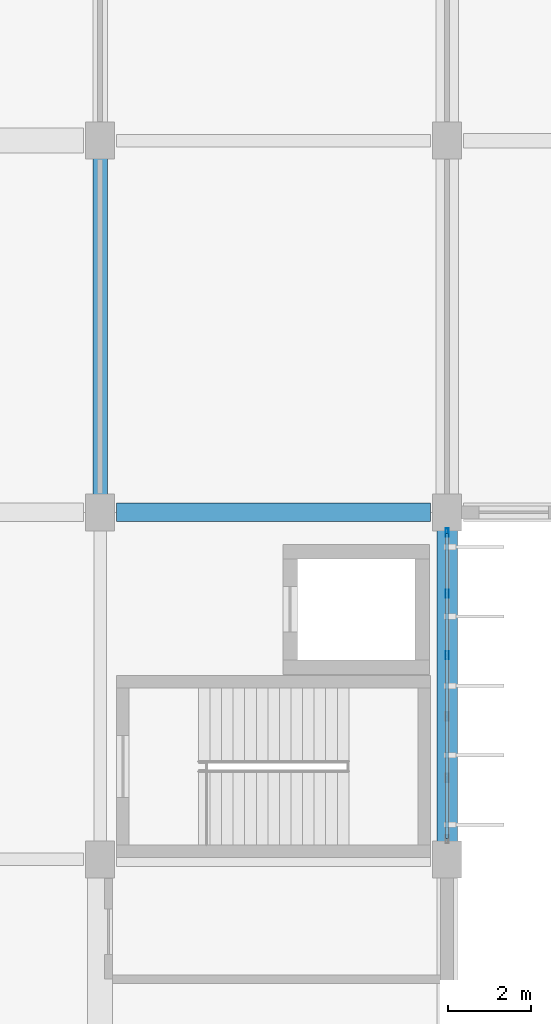
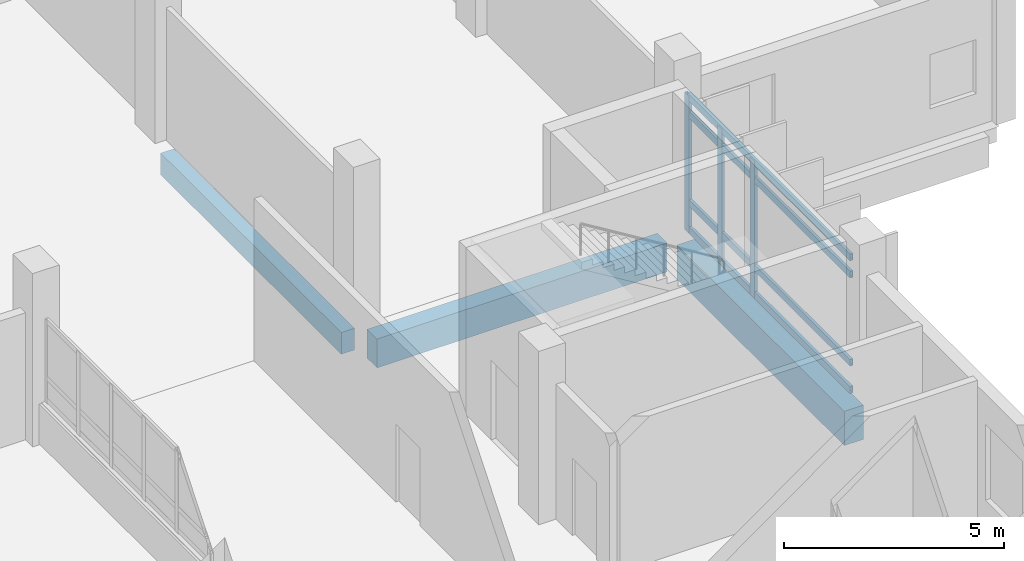
# One storey, part 54 of 95: 7 members, 3 beams, 1 element without a shape of its own.
"""IFC4 building model written with IfcOpenShell, lengths in metres."""

from ifc_helpers import new_model, si_unit, direction, frame, origin, origin_2d, place, context, subcontext, project, spatial, rectangle, hollow_rectangle, extrude, material, layer, layer_set, material_profile, profile_set, type_object, element, aggregate, save


model = new_model("IFC4")

# Units and contexts
model_context = context("Model", 3, precision=1e-05, world=origin(), true_north=direction((0.0, 1.0)))
body_context = subcontext(model_context, "Body", "Model", "MODEL_VIEW")
ifc_project = project(units=[si_unit("LENGTHUNIT", "METRE"), si_unit("AREAUNIT", "SQUARE_METRE"), si_unit("VOLUMEUNIT", "CUBIC_METRE"), si_unit("PLANEANGLEUNIT", "RADIAN"), si_unit("MASSUNIT", "GRAM", prefix="KILO")], contexts=[model_context])

# Site, building, storey
site_placement = place(None, origin())
site = spatial("IfcSite", under=ifc_project, at=site_placement, CompositionType="ELEMENT")
building_placement = place(site_placement, origin())
building = spatial("IfcBuilding", under=site, at=building_placement, Name="Vireocrest Preparatory School", CompositionType="ELEMENT")
storey_placement = place(building_placement, origin())
storey = spatial("IfcBuildingStorey", under=building, at=storey_placement, Name="L00", CompositionType="ELEMENT", Elevation=0.0)

# Curtain wall, members
ifc_material_1 = material(Name="Thermally broken aluminium EN AW-6063-T6", Category="aluminium")
ifc_layer = layer(ifc_material_1, 0.179931640625)
ifc_layer_set = layer_set([ifc_layer], Name="Thermally broken aluminium EN AW-6063-T6")
curtain_wall_type = type_object("IfcCurtainWallType", Name="Ground Storefront Curtain Wall 8400x4800", PredefinedType="USERDEFINED", material=ifc_layer_set)
curtain_wall_placement = place(storey_placement, origin())
curtain_wall = element("IfcCurtainWall", 1, at=curtain_wall_placement, inside=storey, type_object=curtain_wall_type, Name="Curtain Wall CW04 CW_L00_CW04_1092_0778_000", ObjectType="CURTAIN WALL", PredefinedType="USERDEFINED")
ifc_material_profile_1 = material_profile(ifc_material_1, hollow_rectangle(XDim=0.074951171875, YDim=0.199951171875, WallThickness=0.0048828125, at=origin_2d()), Name="ALU 75x200x5")
ifc_profile_set_1 = profile_set([ifc_material_profile_1], Name="Thermally broken aluminium EN AW-6063-T6")
member_type_1 = type_object("IfcMemberType", Name="CW Mullion 75x200x5", PredefinedType="MULLION", material=ifc_profile_set_1)
member_1_placement = place(storey_placement, frame((109.199951171875, 82.343017578125, 0.0), z_axis=(0.0, 0.0, 1.0), x_axis=(1.0, 0.0, 0.0)))
member_1 = element("IfcMember", 2, at=member_1_placement, type_object=member_type_1, Name="CW Mullion ML3 CW_L00_CW04_1092_0778_000-4", PredefinedType="MULLION", context=body_context, shape_type="SweptSolid", body=[
    extrude(hollow_rectangle(XDim=0.074951171875, YDim=0.199951171875, WallThickness=0.0048828125, at=origin_2d()), origin(), (0.0, 0.0, 1.0), 3.804931640625),
])
member_2_placement = place(storey_placement, frame((109.199951171875, 83.8291015625, 0.0), z_axis=(0.0, 0.0, 1.0), x_axis=(1.0, 0.0, 0.0)))
member_2 = element("IfcMember", 3, at=member_2_placement, type_object=member_type_1, Name="CW Mullion ML3 CW_L00_CW04_1092_0778_000-5", PredefinedType="MULLION", context=body_context, shape_type="SweptSolid", body=[
    extrude(hollow_rectangle(XDim=0.074951171875, YDim=0.199951171875, WallThickness=0.0048828125, at=origin_2d()), origin(), (0.0, 0.0, 1.0), 3.804931640625),
])
member_3_placement = place(storey_placement, frame((109.199951171875, 85.31494140625, 0.0), z_axis=(0.0, 0.0, 1.0), x_axis=(1.0, 0.0, 0.0)))
member_3 = element("IfcMember", 4, at=member_3_placement, type_object=member_type_1, Name="CW Mullion ML3 CW_L00_CW04_1092_0778_000-6", PredefinedType="MULLION", context=body_context, shape_type="SweptSolid", body=[
    extrude(hollow_rectangle(XDim=0.074951171875, YDim=0.199951171875, WallThickness=0.0048828125, at=origin_2d()), origin(), (0.0, 0.0, 1.0), 3.804931640625),
])
ifc_material_profile_2 = material_profile(ifc_material_1, hollow_rectangle(XDim=0.074951171875, YDim=0.18994140625, WallThickness=0.00390625, at=origin_2d()), Name="ALU 75x190x4")
ifc_profile_set_2 = profile_set([ifc_material_profile_2], Name="Thermally broken aluminium EN AW-6063-T6")
member_type_2 = type_object("IfcMemberType", Name="CW Transom 75x190x4", PredefinedType="USERDEFINED", material=ifc_profile_set_2)
member_4_placement = place(storey_placement, frame((109.199951171875, 77.909912109375, 0.094970703125), z_axis=(0.0, 1.0, 0.0), x_axis=(-1.0, 0.0, 0.0)))
member_4 = element("IfcMember", 5, at=member_4_placement, type_object=member_type_2, Name="CW Transom TR3 CW_L00_CW04_1092_0778_000-1", ObjectType="TRANSOM", PredefinedType="USERDEFINED", context=body_context, shape_type="SweptSolid", body=[
    extrude(hollow_rectangle(XDim=0.074951171875, YDim=0.18994140625, WallThickness=0.00390625, at=origin_2d()), origin(), (0.0, 0.0, 1.0), 7.380126953125),
])
member_5_placement = place(storey_placement, frame((109.199951171875, 77.909912109375, 0.85009765625), z_axis=(0.0, 1.0, 0.0), x_axis=(-1.0, 0.0, 0.0)))
member_5 = element("IfcMember", 6, at=member_5_placement, type_object=member_type_2, Name="CW Transom TR3 CW_L00_CW04_1092_0778_000-2", ObjectType="TRANSOM", PredefinedType="USERDEFINED", context=body_context, shape_type="SweptSolid", body=[
    extrude(hollow_rectangle(XDim=0.074951171875, YDim=0.18994140625, WallThickness=0.00390625, at=origin_2d()), origin(), (0.0, 0.0, 1.0), 7.380126953125),
])
member_6_placement = place(storey_placement, frame((109.199951171875, 77.909912109375, 3.2900390625), z_axis=(0.0, 1.0, 0.0), x_axis=(-1.0, 0.0, 0.0)))
member_6 = element("IfcMember", 7, at=member_6_placement, type_object=member_type_2, Name="CW Transom TR3 CW_L00_CW04_1092_0778_000-3", ObjectType="TRANSOM", PredefinedType="USERDEFINED", context=body_context, shape_type="SweptSolid", body=[
    extrude(hollow_rectangle(XDim=0.074951171875, YDim=0.18994140625, WallThickness=0.00390625, at=origin_2d()), origin(), (0.0, 0.0, 1.0), 7.380126953125),
])
member_7_placement = place(storey_placement, frame((109.199951171875, 77.909912109375, 3.764892578125), z_axis=(0.0, 1.0, 0.0), x_axis=(-1.0, 0.0, 0.0)))
member_7 = element("IfcMember", 8, at=member_7_placement, type_object=member_type_2, Name="CW Transom TR3 CW_L00_CW04_1092_0778_000-4", ObjectType="TRANSOM", PredefinedType="USERDEFINED", context=body_context, shape_type="SweptSolid", body=[
    extrude(hollow_rectangle(XDim=0.074951171875, YDim=0.18994140625, WallThickness=0.00390625, at=origin_2d()), origin(), (0.0, 0.0, 1.0), 7.380126953125),
])
aggregate(curtain_wall, [member_1, member_2, member_3, member_4, member_5, member_6, member_7])

# Beams
ifc_material_2 = material(Name="Concrete 40 MPa", Category="concrete")
ifc_material_profile_3 = material_profile(ifc_material_2, rectangle(XDim=0.5, YDim=0.949951171875, at=origin_2d()), Name="RC 500x950")
ifc_profile_set_3 = profile_set([ifc_material_profile_3], Name="Concrete 40 MPa")
beam_type_1 = type_object("IfcBeamType", Name="RC Basement Ceiling Girder 500x950", PredefinedType="BEAM", material=ifc_profile_set_3)
beam_1_placement = place(storey_placement, frame((109.199951171875, 77.800048828125, -0.824951171875), z_axis=(0.0, 1.0, 0.0), x_axis=(-1.0, 0.0, 0.0)))
element("IfcBeam", 9, at=beam_1_placement, inside=storey, type_object=beam_type_1, Name="Primary Girder B16 L00-0225", PredefinedType="BEAM", context=body_context, shape_type="SweptSolid", body=[
    extrude(rectangle(XDim=0.5, YDim=0.949951171875, at=origin_2d()), origin(), (0.0, 0.0, 1.0), 7.599853515625),
])
ifc_material_profile_4 = material_profile(ifc_material_2, rectangle(XDim=0.35009765625, YDim=0.60009765625, at=origin_2d()), Name="RC 350x600")
ifc_profile_set_4 = profile_set([ifc_material_profile_4], Name="Concrete 40 MPa")
beam_type_2 = type_object("IfcBeamType", Name="RC Classroom Girder 350x600", PredefinedType="BEAM", material=ifc_profile_set_4)
beam_2_placement = place(storey_placement, frame((100.800048828125, 86.199951171875, -0.64990234375), z_axis=(0.0, 1.0, 0.0), x_axis=(-1.0, 0.0, 0.0)))
element("IfcBeam", 10, at=beam_2_placement, inside=storey, type_object=beam_type_2, Name="Primary Girder B04 L00-0213", PredefinedType="BEAM", context=body_context, shape_type="SweptSolid", body=[
    extrude(rectangle(XDim=0.35009765625, YDim=0.60009765625, at=origin_2d()), origin(), (0.0, 0.0, 1.0), 8.199951171875),
])
ifc_material_profile_5 = material_profile(ifc_material_2, rectangle(XDim=0.449951171875, YDim=0.800048828125, at=origin_2d()), Name="RC 450x800")
ifc_profile_set_5 = profile_set([ifc_material_profile_5], Name="Concrete 40 MPa")
beam_type_3 = type_object("IfcBeamType", Name="RC Library Stack Girder 450x800", PredefinedType="BEAM", material=ifc_profile_set_5)
beam_3_placement = place(storey_placement, frame((101.199951171875, 85.800048828125, -0.75), z_axis=(1.0, 0.0, 0.0), x_axis=(0.0, 1.0, 0.0)))
element("IfcBeam", 11, at=beam_3_placement, inside=storey, type_object=beam_type_3, Name="Primary Girder B12 L00-0100", PredefinedType="BEAM", context=body_context, shape_type="SweptSolid", body=[
    extrude(rectangle(XDim=0.449951171875, YDim=0.800048828125, at=origin_2d()), origin(), (0.0, 0.0, 1.0), 7.60009765625),
])

save(model, "model.ifc")
